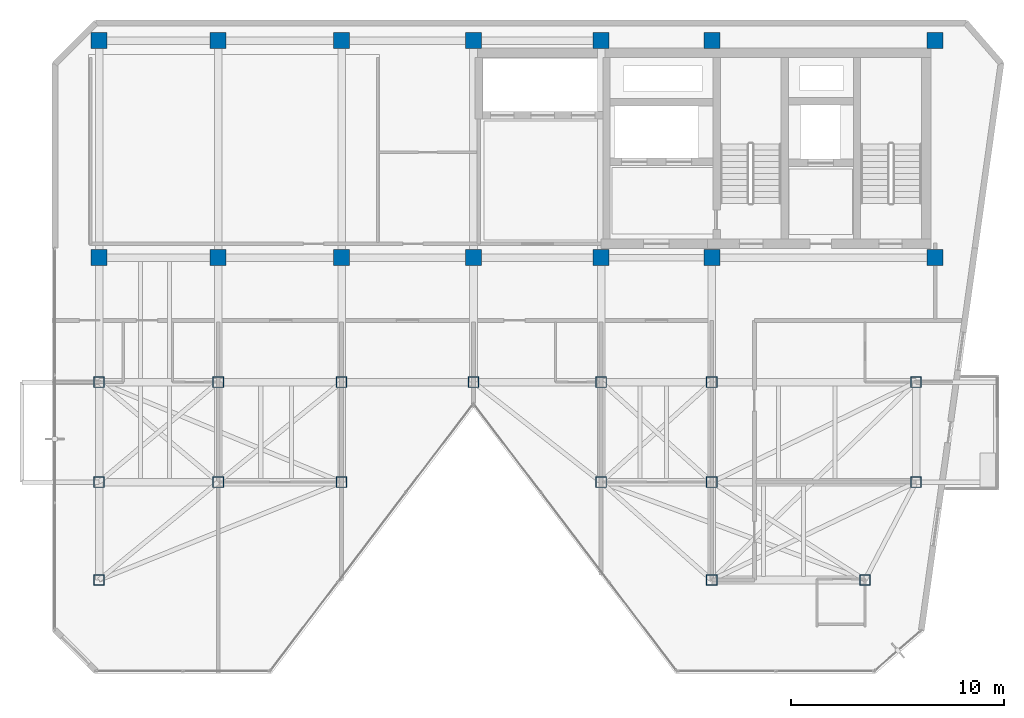
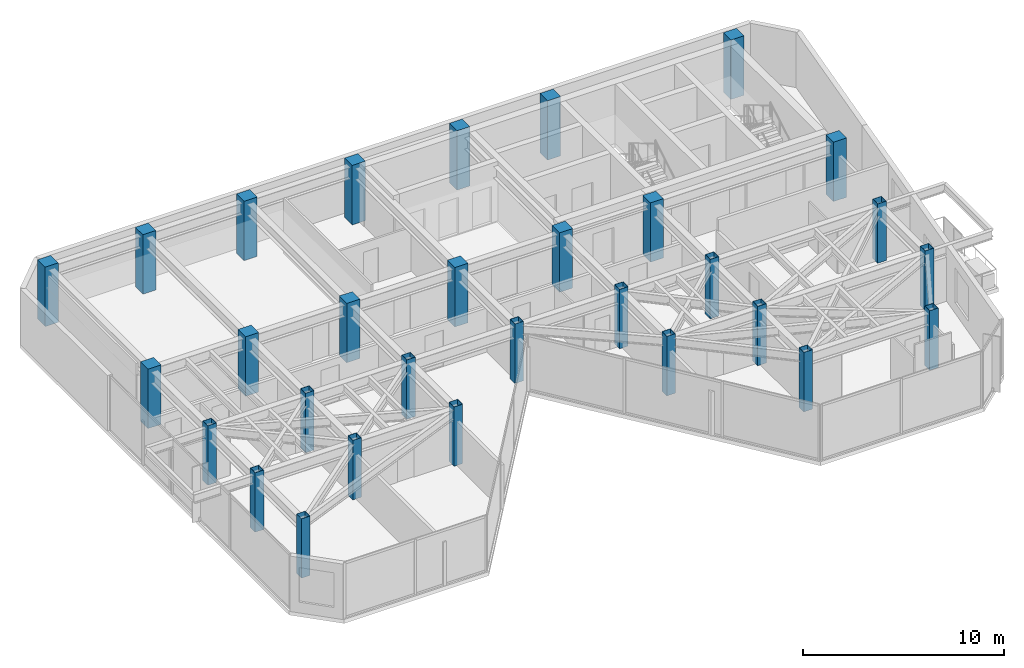
# One storey, part 1 of 20: 30 columns.
"""IFC4 building model written with IfcOpenShell, lengths in metres."""

from ifc_helpers import new_model, si_unit, direction, frame, origin, origin_2d, place, context, subcontext, project, spatial, rectangle, hollow_rectangle, extrude, material, material_profile, profile_set, type_object, element, save


model = new_model("IFC4")

# Units and contexts
model_context = context("Model", 3, precision=1e-05, world=origin(), true_north=direction((0.0, 1.0)))
body_context = subcontext(model_context, "Body", "Model", "MODEL_VIEW")
ifc_project = project(units=[si_unit("LENGTHUNIT", "METRE"), si_unit("AREAUNIT", "SQUARE_METRE"), si_unit("VOLUMEUNIT", "CUBIC_METRE"), si_unit("PLANEANGLEUNIT", "RADIAN"), si_unit("MASSUNIT", "GRAM", prefix="KILO")], contexts=[model_context])

# Site, building, storey
site_placement = place(None, origin())
site = spatial("IfcSite", under=ifc_project, at=site_placement, CompositionType="ELEMENT")
building_placement = place(site_placement, origin())
building = spatial("IfcBuilding", under=site, at=building_placement, Name="Kravanh Interchange Tower", CompositionType="ELEMENT")
storey_placement = place(building_placement, frame((0.0, 0.0, 252.60009765625)))
storey = spatial("IfcBuildingStorey", under=building, at=storey_placement, Name="L61", CompositionType="ELEMENT", Elevation=252.60009765625)

# Columns
ifc_material_1 = material(Name="Structural Steel S355", Category="steel")
ifc_material_profile_1 = material_profile(ifc_material_1, hollow_rectangle(XDim=0.5, YDim=0.5, WallThickness=0.02001953125, at=origin_2d()), Name="HSS500X500X20")
ifc_profile_set_1 = profile_set([ifc_material_profile_1], Name="Structural Steel S355")
column_type_1 = type_object("IfcColumnType", Name="Column HSS500X500X20 Structural Steel S355", PredefinedType="COLUMN", material=ifc_profile_set_1)
for number, where, z_axis, x_axis, name in (
    (1, (44.800048828125, 31.5, 0.0), (0.0, 0.0, 1.0), (1.0, 0.0, 0.0), "L61 Column CH_E1"),
    (2, (50.800048828125, 31.5, 0.0), (0.0, 0.0, 1.0), (1.0, 0.0, 0.0), "L61 Column CH_E2"),
    (3, (56.0, 31.5, 0.0), (0.0, 0.0, 1.0), (1.0, 0.0, 0.0), "L61 Column CH_E3"),
    (4, (65.60009765625, 31.5, 0.0), (0.0, 0.0, 1.0), (1.0, 0.0, 0.0), "L61 Column CH_E4"),
    (5, (38.60009765625, 31.5, 0.0), (0.0, 0.0, 1.0), (1.0, 0.0, 0.0), "L61 Column CH_E5"),
    (6, (32.800048828125, 31.5, 0.0), (0.0, 0.0, 1.0), (1.0, 0.0, 0.0), "L61 Column CH_E6"),
    (7, (27.199951171875, 31.5, 0.0), (0.0, 0.0, 1.0), (1.0, 0.0, 0.0), "L61 Column CH_E7"),
    (8, (38.60009765625, 26.800048828125, 0.0), (0.0, 0.0, 1.0), (1.0, 0.0, 0.0), "L61 Column CH_S1"),
    (9, (50.800048828125, 26.800048828125, 0.0), (0.0, 0.0, 1.0), (1.0, 0.0, 0.0), "L61 Column CH_S2"),
    (10, (56.0, 26.800048828125, 0.0), (0.0, 0.0, 1.0), (1.0, 0.0, 0.0), "L61 Column CH_S3"),
    (11, (65.60009765625, 26.800048828125, 0.0), (0.0, 0.0, 1.0), (1.0, 0.0, 0.0), "L61 Column CH_S4"),
    (12, (56.0, 22.199951171875, 0.0), (0.0, 0.0, 1.0), (1.0, 0.0, 0.0), "L61 Column CH_S5"),
    (13, (63.199951171875, 22.199951171875, 0.0), (0.0, 0.0, 1.0), (1.0, 0.0, 0.0), "L61 Column CH_S6"),
    (14, (27.199951171875, 22.199951171875, 0.0), (0.0, 0.0, 1.0), (1.0, 0.0, 0.0), "L61 Column CH_W1"),
    (15, (27.199951171875, 26.800048828125, 0.0), (0.0, 0.0, 1.0), (1.0, 0.0, 0.0), "L61 Column CH_W1B"),
    (16, (32.800048828125, 26.800048828125, 0.0), (0.0, 0.0, 1.0), (1.0, 0.0, 0.0), "L61 Column CH_W3"),
):
    element("IfcColumn", number, at=place(storey_placement, frame(where, z_axis=z_axis, x_axis=x_axis)), inside=storey, type_object=column_type_1, Name=name, PredefinedType="COLUMN", context=body_context, shape_type="SweptSolid", body=[
        extrude(hollow_rectangle(XDim=0.5, YDim=0.5, WallThickness=0.02001953125, at=origin_2d()), origin(), (0.0, 0.0, 1.0), 3.599853515625),
    ])
ifc_material_2 = material(Name="Concrete C60/75", Category="concrete")
ifc_material_profile_2 = material_profile(ifc_material_2, rectangle(XDim=0.75, YDim=0.75, at=origin_2d()), Name="RC750X750")
ifc_profile_set_2 = profile_set([ifc_material_profile_2], Name="Concrete C60/75")
column_type_2 = type_object("IfcColumnType", Name="Column RC750X750 Concrete C60/75", PredefinedType="COLUMN", material=ifc_profile_set_2)
for number, where, z_axis, x_axis, name in (
    (17, (66.5, 47.550048828125, 0.0), (0.0, 0.0, 1.0), (1.0, 0.0, 0.0), "L61 Column CS01"),
    (18, (56.0, 47.550048828125, 0.0), (0.0, 0.0, 1.0), (1.0, 0.0, 0.0), "L61 Column CS02"),
    (19, (66.5, 37.35009765625, 0.0), (0.0, 0.0, 1.0), (1.0, 0.0, 0.0), "L61 Column CS03"),
    (20, (56.0, 37.35009765625, 0.0), (0.0, 0.0, 1.0), (1.0, 0.0, 0.0), "L61 Column CS04"),
    (21, (50.800048828125, 47.550048828125, 0.0), (0.0, 0.0, 1.0), (1.0, 0.0, 0.0), "L61 Column CS05"),
    (22, (50.800048828125, 37.35009765625, 0.0), (0.0, 0.0, 1.0), (1.0, 0.0, 0.0), "L61 Column CS06"),
    (23, (44.800048828125, 37.35009765625, 0.0), (0.0, 0.0, 1.0), (1.0, 0.0, 0.0), "L61 Column CS07"),
    (24, (44.800048828125, 47.550048828125, 0.0), (0.0, 0.0, 1.0), (1.0, 0.0, 0.0), "L61 Column CS08"),
    (25, (38.60009765625, 37.35009765625, 0.0), (0.0, 0.0, 1.0), (1.0, 0.0, 0.0), "L61 Column CS09"),
    (26, (38.60009765625, 47.550048828125, 0.0), (0.0, 0.0, 1.0), (1.0, 0.0, 0.0), "L61 Column CS10"),
    (27, (32.800048828125, 37.35009765625, 0.0), (0.0, 0.0, 1.0), (1.0, 0.0, 0.0), "L61 Column CS11"),
    (28, (32.800048828125, 47.550048828125, 0.0), (0.0, 0.0, 1.0), (1.0, 0.0, 0.0), "L61 Column CS12"),
    (29, (27.199951171875, 37.35009765625, 0.0), (0.0, 0.0, 1.0), (1.0, 0.0, 0.0), "L61 Column CS13"),
    (30, (27.199951171875, 47.550048828125, 0.0), (0.0, 0.0, 1.0), (1.0, 0.0, 0.0), "L61 Column CS14"),
):
    element("IfcColumn", number, at=place(storey_placement, frame(where, z_axis=z_axis, x_axis=x_axis)), inside=storey, type_object=column_type_2, Name=name, PredefinedType="COLUMN", context=body_context, shape_type="SweptSolid", body=[
        extrude(rectangle(XDim=0.75, YDim=0.75, at=origin_2d()), origin(), (0.0, 0.0, 1.0), 3.599853515625),
    ])

save(model, "model.ifc")
